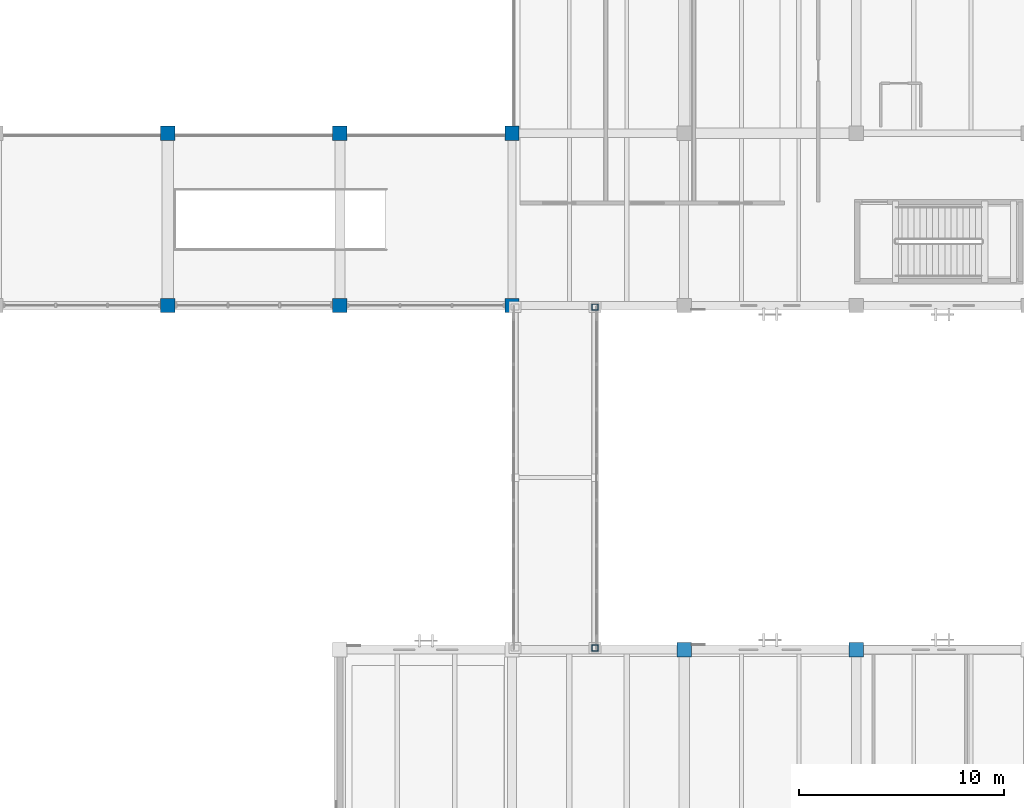
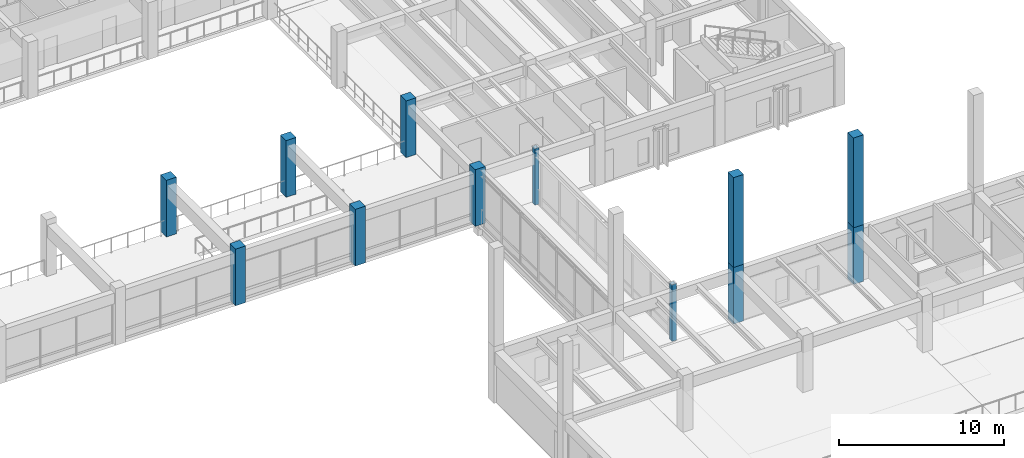
# One storey, part 7 of 132: 12 columns.
"""IFC4 building model written with IfcOpenShell, lengths in metres."""

from ifc_helpers import new_model, si_unit, direction, frame, origin, origin_2d, place, context, subcontext, project, spatial, rectangle, hollow_rectangle, extrude, material, material_profile, profile_set, type_object, element, save


model = new_model("IFC4")

# Units and contexts
model_context = context("Model", 3, precision=1e-05, world=origin(), true_north=direction((0.0, 1.0)))
body_context = subcontext(model_context, "Body", "Model", "MODEL_VIEW")
ifc_project = project(units=[si_unit("LENGTHUNIT", "METRE"), si_unit("AREAUNIT", "SQUARE_METRE"), si_unit("VOLUMEUNIT", "CUBIC_METRE"), si_unit("PLANEANGLEUNIT", "RADIAN"), si_unit("MASSUNIT", "GRAM", prefix="KILO")], contexts=[model_context])

# Site, building, storey
site_placement = place(None, origin())
site = spatial("IfcSite", under=ifc_project, at=site_placement, CompositionType="ELEMENT")
building_placement = place(site_placement, origin())
building = spatial("IfcBuilding", under=site, at=building_placement, Name="Cumbredor Promenade Congress Hotel", CompositionType="ELEMENT")
storey_placement = place(building_placement, frame((0.0, 0.0, 7.56005859375)))
storey = spatial("IfcBuildingStorey", under=building, at=storey_placement, Name="L02", CompositionType="ELEMENT", Elevation=7.56005859375)

# Columns
ifc_material_1 = material(Name="Concrete C40/50", Category="concrete")
ifc_material_profile_1 = material_profile(ifc_material_1, rectangle(XDim=0.699951171875, YDim=0.699951171875, at=origin_2d()), Name="RC 700x700")
ifc_profile_set_1 = profile_set([ifc_material_profile_1], Name="Concrete C40/50")
column_type_1 = type_object("IfcColumnType", Name="COL-RC-700", PredefinedType="COLUMN", material=ifc_profile_set_1)
for number, where, z_axis, x_axis, name in (
    (1, (134.39990234375, 84.0, 0.0), (0.0, 0.0, 1.0), (1.0, 0.0, 0.0), "L02 Structural Column 125"),
    (2, (134.39990234375, 92.39990234375, 0.0), (0.0, 0.0, 1.0), (1.0, 0.0, 0.0), "L02 Structural Column 126"),
    (3, (142.800048828125, 84.0, 0.0), (0.0, 0.0, 1.0), (1.0, 0.0, 0.0), "L02 Structural Column 137"),
    (4, (142.800048828125, 92.39990234375, 0.0), (0.0, 0.0, 1.0), (1.0, 0.0, 0.0), "L02 Structural Column 138"),
    (5, (151.199951171875, 84.0, 0.0), (0.0, 0.0, 1.0), (1.0, 0.0, 0.0), "L02 Structural Column 145"),
    (6, (151.199951171875, 92.39990234375, 0.0), (0.0, 0.0, 1.0), (1.0, 0.0, 0.0), "L02 Structural Column 146"),
    (7, (159.60009765625, 67.199951171875, 0.0), (0.0, 0.0, 1.0), (1.0, 0.0, 0.0), "L02 Structural Column 153"),
    (8, (168.0, 67.199951171875, 0.0), (0.0, 0.0, 1.0), (1.0, 0.0, 0.0), "L02 Structural Column 162"),
):
    element("IfcColumn", number, at=place(storey_placement, frame(where, z_axis=z_axis, x_axis=x_axis)), inside=storey, type_object=column_type_1, Name=name, PredefinedType="COLUMN", context=body_context, shape_type="SweptSolid", body=[
        extrude(rectangle(XDim=0.699951171875, YDim=0.699951171875, at=origin_2d()), origin(), (0.0, 0.0, 1.0), 4.199951171875),
    ])
for number, where, z_axis, x_axis, name in (
    (9, (159.60009765625, 67.199951171875, 4.199951171875), (0.0, 0.0, 1.0), (1.0, 0.0, 0.0), "Grand Ballroom Pavilion Clerestory Column Extension 12"),
    (10, (168.0, 67.199951171875, 4.199951171875), (0.0, 0.0, 1.0), (1.0, 0.0, 0.0), "Grand Ballroom Pavilion Clerestory Column Extension 14"),
):
    element("IfcColumn", number, at=place(storey_placement, frame(where, z_axis=z_axis, x_axis=x_axis)), inside=storey, type_object=column_type_1, Name=name, PredefinedType="COLUMN", context=body_context, shape_type="SweptSolid", body=[
        extrude(rectangle(XDim=0.699951171875, YDim=0.699951171875, at=origin_2d()), origin(), (0.0, 0.0, 1.0), 6.6533203125),
    ])
ifc_material_2 = material(Name="Steel ASTM A500 Grade C", Category="steel")
ifc_material_profile_2 = material_profile(ifc_material_2, hollow_rectangle(XDim=0.300048828125, YDim=0.300048828125, WallThickness=0.01611328125, at=origin_2d()), Name="HSS 300x300x16")
ifc_profile_set_2 = profile_set([ifc_material_profile_2], Name="Steel ASTM A500 Grade C")
column_type_2 = type_object("IfcColumnType", Name="COL-STL-HSS300", PredefinedType="COLUMN", material=ifc_profile_set_2)
for number, where, z_axis, x_axis, name in (
    (11, (155.25, 67.280029296875, 0.0), (0.0, 0.0, 1.0), (1.0, 0.0, 0.0), "L02 East Ballroom-to-Forum Glazed Bridge Support Column 2"),
    (12, (155.25, 83.919921875, 0.0), (0.0, 0.0, 1.0), (1.0, 0.0, 0.0), "L02 East Ballroom-to-Forum Glazed Bridge Support Column 4"),
):
    element("IfcColumn", number, at=place(storey_placement, frame(where, z_axis=z_axis, x_axis=x_axis)), inside=storey, type_object=column_type_2, Name=name, PredefinedType="COLUMN", context=body_context, shape_type="SweptSolid", body=[
        extrude(hollow_rectangle(XDim=0.300048828125, YDim=0.300048828125, WallThickness=0.01611328125, at=origin_2d()), origin(), (0.0, 0.0, 1.0), 4.199951171875),
    ])

save(model, "model.ifc")
